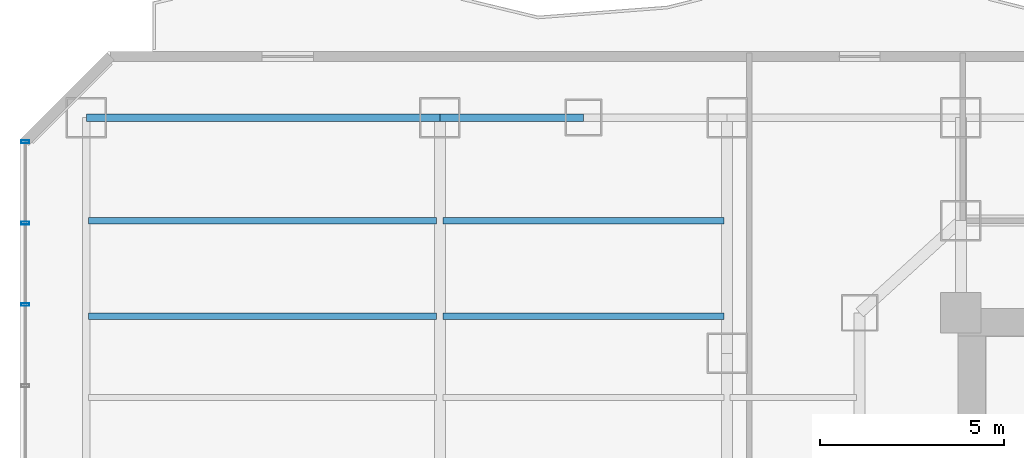
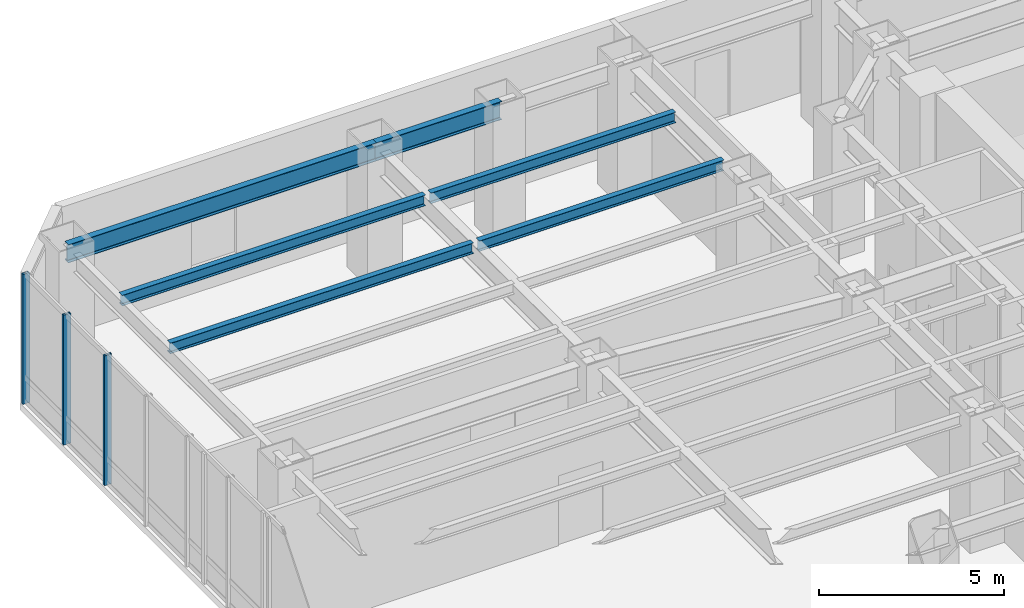
# One storey, part 14 of 29: 6 beams, 3 members, 1 element without a shape of its own.
"""IFC4 building model written with IfcOpenShell, lengths in metres."""

from ifc_helpers import new_model, si_unit, direction, frame, origin, origin_2d, place, context, subcontext, project, spatial, hollow_rectangle, i_section, extrude, material, layer, layer_set, material_profile, profile_set, type_object, element, aggregate, save


model = new_model("IFC4")

# Units and contexts
model_context = context("Model", 3, precision=1e-05, world=origin(), true_north=direction((0.0, 1.0)))
body_context = subcontext(model_context, "Body", "Model", "MODEL_VIEW")
ifc_project = project(units=[si_unit("LENGTHUNIT", "METRE"), si_unit("AREAUNIT", "SQUARE_METRE"), si_unit("VOLUMEUNIT", "CUBIC_METRE"), si_unit("PLANEANGLEUNIT", "RADIAN"), si_unit("MASSUNIT", "GRAM", prefix="KILO")], contexts=[model_context])

# Site, building, storey
site_placement = place(None, origin())
site = spatial("IfcSite", under=ifc_project, at=site_placement, CompositionType="ELEMENT")
building_placement = place(site_placement, origin())
building = spatial("IfcBuilding", under=site, at=building_placement, Name="Hatsunagi Terrace Concourse", CompositionType="ELEMENT")
storey_placement = place(building_placement, frame((0.0, 0.0, 32.10009765625)))
storey = spatial("IfcBuildingStorey", under=building, at=storey_placement, Name="L07", CompositionType="ELEMENT", Elevation=32.10009765625)

# Curtain wall, members
ifc_material_1 = material(Name="Anodised Aluminium Alloy 6063-T5", Category="aluminium")
ifc_layer = layer(ifc_material_1, 0.199951171875)
ifc_layer_set = layer_set([ifc_layer], Name="SkyLobbyAtrium_CW05")
curtain_wall_type = type_object("IfcCurtainWallType", Name="SkyLobbyAtrium_CW05", PredefinedType="NOTDEFINED", material=ifc_layer_set)
curtain_wall_placement = place(storey_placement, origin())
curtain_wall = element("IfcCurtainWall", 1, at=curtain_wall_placement, inside=storey, type_object=curtain_wall_type, Name="Unitised Curtain Wall CW-05 CW-L07-09", PredefinedType="NOTDEFINED")
ifc_material_2 = material(Name="Anodised Aluminium Alloy 6063-T5", Category="aluminium")
ifc_material_profile_1 = material_profile(ifc_material_2, hollow_rectangle(XDim=0.080078125, YDim=0.219970703125, WallThickness=0.0048828125, at=origin_2d()), Name="ALU-MUL-220x80x5")
ifc_profile_set_1 = profile_set([ifc_material_profile_1], Name="Anodised Aluminium Alloy 6063-T5")
member_type = type_object("IfcMemberType", Name="CurtainWallMullion_Heavy_220x80", PredefinedType="MULLION", material=ifc_profile_set_1)
member_1_placement = place(storey_placement, frame((0.139892578125, 43.52490234375, 0.0), z_axis=(0.0, 0.0, 1.0), x_axis=(0.0, 1.0, 0.0)))
member_1 = element("IfcMember", 2, at=member_1_placement, type_object=member_type, Name="Curtain Wall Mullion MUL-01", PredefinedType="MULLION", context=body_context, shape_type="SweptSolid", body=[
    extrude(hollow_rectangle(XDim=0.080078125, YDim=0.219970703125, WallThickness=0.0048828125, at=origin_2d()), origin(), (0.0, 0.0, 1.0), 4.27978515625),
])
member_2_placement = place(storey_placement, frame((0.139892578125, 45.73388671875, 0.0), z_axis=(0.0, 0.0, 1.0), x_axis=(0.0, 1.0, 0.0)))
member_2 = element("IfcMember", 3, at=member_2_placement, type_object=member_type, Name="Curtain Wall Mullion MUL-01", PredefinedType="MULLION", context=body_context, shape_type="SweptSolid", body=[
    extrude(hollow_rectangle(XDim=0.080078125, YDim=0.219970703125, WallThickness=0.0048828125, at=origin_2d()), origin(), (0.0, 0.0, 1.0), 4.27978515625),
])
member_3_placement = place(storey_placement, frame((0.139892578125, 47.94189453125, 0.0), z_axis=(0.0, 0.0, 1.0), x_axis=(0.0, 1.0, 0.0)))
member_3 = element("IfcMember", 4, at=member_3_placement, type_object=member_type, Name="Curtain Wall Mullion MUL-01", PredefinedType="MULLION", context=body_context, shape_type="SweptSolid", body=[
    extrude(hollow_rectangle(XDim=0.080078125, YDim=0.219970703125, WallThickness=0.0048828125, at=origin_2d()), origin(), (0.0, 0.0, 1.0), 4.27978515625),
])
aggregate(curtain_wall, [member_1, member_2, member_3])

# Beams
ifc_material_3 = material(Name="Steel SN490B", Category="steel")
ifc_material_profile_2 = material_profile(ifc_material_3, i_section(OverallWidth=0.175048828125, OverallDepth=0.35009765625, WebThickness=0.007080078125, FlangeThickness=0.010986328125, FilletRadius=0.012939453125, at=origin_2d()), Name="H-350x175x7x11")
ifc_profile_set_2 = profile_set([ifc_material_profile_2], Name="Steel SN490B")
beam_type_1 = type_object("IfcBeamType", Name="HotelJoist_H_350x175", PredefinedType="JOIST", material=ifc_profile_set_2)
beam_1_placement = place(storey_placement, frame((1.864990234375, 43.199951171875, 4.10498046875), z_axis=(1.0, 0.0, 0.0), x_axis=(0.0, 1.0, 0.0)))
element("IfcBeam", 5, at=beam_1_placement, inside=storey, type_object=beam_type_1, Name="Beam J-02 J-L07-W-1-432", PredefinedType="JOIST", context=body_context, shape_type="SweptSolid", body=[
    extrude(i_section(OverallWidth=0.175048828125, OverallDepth=0.35009765625, WebThickness=0.007080078125, FlangeThickness=0.010986328125, FilletRadius=0.012939453125, at=origin_2d()), origin(), (0.0, 0.0, 1.0), 9.449951171875),
])
beam_2_placement = place(storey_placement, frame((11.485107421875, 43.199951171875, 4.10498046875), z_axis=(1.0, 0.0, 0.0), x_axis=(0.0, 1.0, 0.0)))
element("IfcBeam", 6, at=beam_2_placement, inside=storey, type_object=beam_type_1, Name="Beam J-02 J-L07-W-11-432", PredefinedType="JOIST", context=body_context, shape_type="SweptSolid", body=[
    extrude(i_section(OverallWidth=0.175048828125, OverallDepth=0.35009765625, WebThickness=0.007080078125, FlangeThickness=0.010986328125, FilletRadius=0.012939453125, at=origin_2d()), origin(), (0.0, 0.0, 1.0), 7.6298828125),
])
beam_3_placement = place(storey_placement, frame((1.864990234375, 45.800048828125, 4.10498046875), z_axis=(1.0, 0.0, 0.0), x_axis=(0.0, 1.0, 0.0)))
element("IfcBeam", 7, at=beam_3_placement, inside=storey, type_object=beam_type_1, Name="Beam J-02 J-L07-W-1-458", PredefinedType="JOIST", context=body_context, shape_type="SweptSolid", body=[
    extrude(i_section(OverallWidth=0.175048828125, OverallDepth=0.35009765625, WebThickness=0.007080078125, FlangeThickness=0.010986328125, FilletRadius=0.012939453125, at=origin_2d()), origin(), (0.0, 0.0, 1.0), 9.449951171875),
])
beam_4_placement = place(storey_placement, frame((11.485107421875, 45.800048828125, 4.10498046875), z_axis=(1.0, 0.0, 0.0), x_axis=(0.0, 1.0, 0.0)))
element("IfcBeam", 8, at=beam_4_placement, inside=storey, type_object=beam_type_1, Name="Beam J-02 J-L07-W-11-458", PredefinedType="JOIST", context=body_context, shape_type="SweptSolid", body=[
    extrude(i_section(OverallWidth=0.175048828125, OverallDepth=0.35009765625, WebThickness=0.007080078125, FlangeThickness=0.010986328125, FilletRadius=0.012939453125, at=origin_2d()), origin(), (0.0, 0.0, 1.0), 7.6298828125),
])
ifc_material_4 = material(Name="Steel SN490B", Category="steel")
ifc_material_profile_3 = material_profile(ifc_material_4, i_section(OverallWidth=0.199951171875, OverallDepth=0.60009765625, WebThickness=0.010986328125, FlangeThickness=0.01708984375, FilletRadius=0.01806640625, at=origin_2d()), Name="H-600x200x11x17")
ifc_profile_set_3 = profile_set([ifc_material_profile_3], Name="Steel SN490B")
beam_type_2 = type_object("IfcBeamType", Name="PerimeterSpandrel_H_600x200", PredefinedType="SPANDREL", material=ifc_profile_set_3)
beam_5_placement = place(storey_placement, frame((1.800048828125, 48.60009765625, 3.97998046875), z_axis=(1.0, 0.0, 0.0), x_axis=(0.0, 1.0, 0.0)))
element("IfcBeam", 9, at=beam_5_placement, inside=storey, type_object=beam_type_2, Name="Beam SP-01 BM-L07-WN-1", PredefinedType="SPANDREL", context=body_context, shape_type="SweptSolid", body=[
    extrude(i_section(OverallWidth=0.199951171875, OverallDepth=0.60009765625, WebThickness=0.010986328125, FlangeThickness=0.01708984375, FilletRadius=0.01806640625, at=origin_2d()), origin(), (0.0, 0.0, 1.0), 9.599853515625),
])
beam_6_placement = place(storey_placement, frame((11.39990234375, 48.60009765625, 3.97998046875), z_axis=(1.0, 0.0, 0.0), x_axis=(0.0, 1.0, 0.0)))
element("IfcBeam", 10, at=beam_6_placement, inside=storey, type_object=beam_type_2, Name="Beam SP-01 BM-L07-WN-11", PredefinedType="SPANDREL", context=body_context, shape_type="SweptSolid", body=[
    extrude(i_section(OverallWidth=0.199951171875, OverallDepth=0.60009765625, WebThickness=0.010986328125, FlangeThickness=0.01708984375, FilletRadius=0.01806640625, at=origin_2d()), origin(), (0.0, 0.0, 1.0), 3.900146484375),
])

save(model, "model.ifc")
